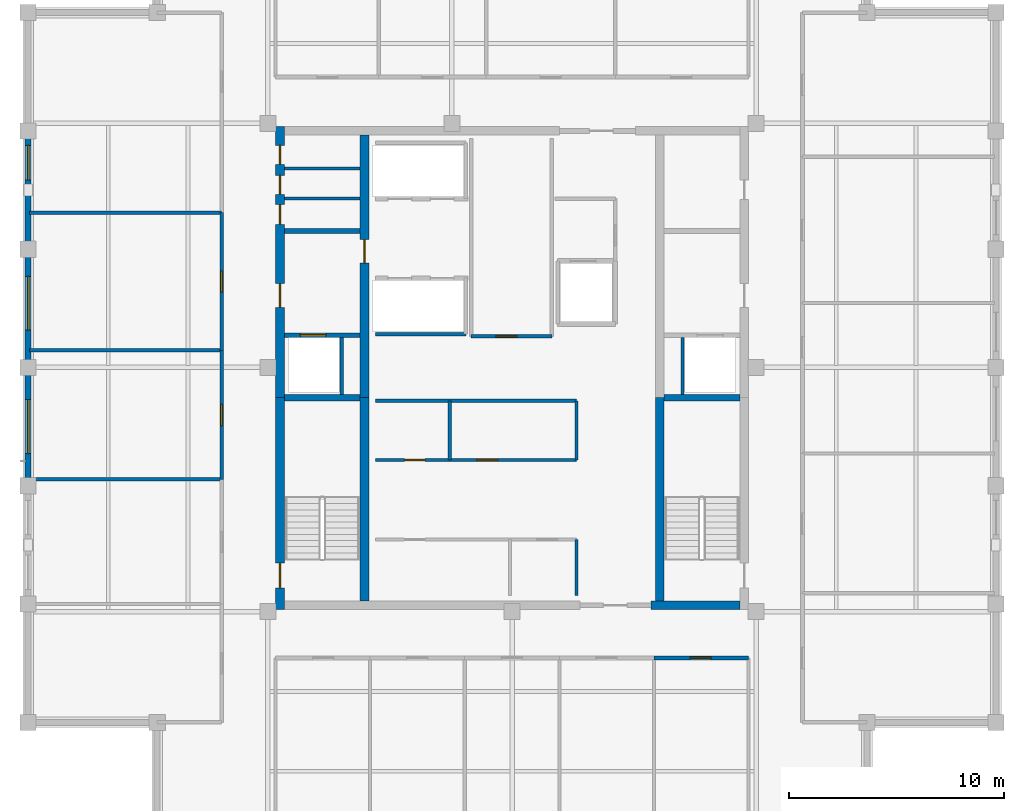
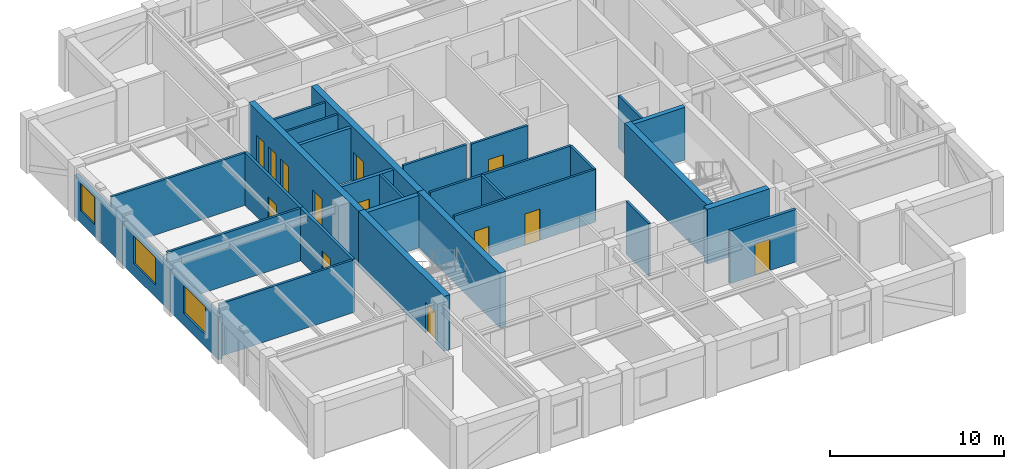
# One storey, part 4 of 8: 30 walls, 13 doors, 3 windows, 16 openings.
"""IFC4 building model written with IfcOpenShell, lengths in metres."""

import ifcopenshell
import ifcopenshell.guid

model = None  # the IFC model being written
_history = None  # IfcOwnerHistory: only IFC2X3 demands one
_inside = {}  # id of a spatial element -> (the spatial element, [elements in it])
_under = {}  # id of a project, library or spatial element -> (it, [spatial elements below it])
_declared = {}  # id of a project -> (the project, [libraries it declares])
_typed = {}  # id of a type object -> (the type object, [elements of that type])
_made_of = {}  # id of a material, layer set ... -> (it, [elements and type objects made of it])


def new_model(schema):
    """Start an empty IFC model of exactly this schema.

    Asked for "IFC4X3", IfcOpenShell would pick the latest addendum, in which some entities
    have other attributes; the version numbers below select the first issue.
    IFC2X3 requires an IfcOwnerHistory on every rooted entity: one is made here for all.
    """
    global model, _history
    if schema == "IFC4X3":
        model = ifcopenshell.file(schema_version=(4, 3, 0, 0))
    else:
        model = ifcopenshell.file(schema=schema)
    _inside.clear()
    _under.clear()
    _declared.clear()
    _typed.clear()
    _made_of.clear()
    _history = None
    if model.schema == "IFC2X3":
        org = make("IfcOrganization", Name="unknown")
        user = make(
            "IfcPersonAndOrganization",
            ThePerson=make("IfcPerson", FamilyName="unknown"),
            TheOrganization=org,
        )
        app = make(
            "IfcApplication",
            ApplicationDeveloper=org,
            Version="unknown",
            ApplicationFullName="unknown",
            ApplicationIdentifier="unknown",
        )
        _history = make(
            "IfcOwnerHistory",
            OwningUser=user,
            OwningApplication=app,
            ChangeAction="ADDED",
            CreationDate=0,
        )
    return model


def make(cls, **values):
    """One entity of the class cls with the attributes given. An attribute that is None is left unset."""
    return model.create_entity(
        cls, **{name: value for name, value in values.items() if value is not None}
    )


def rooted(cls, **values):
    """An entity with a GlobalId (a new one), such as an element, a storey or a relation."""
    return make(cls, GlobalId=ifcopenshell.guid.new(), OwnerHistory=_history, **values)


def si_unit(unit_type, name, prefix=None):
    """IfcSIUnit, for example si_unit("LENGTHUNIT", "METRE", prefix="MILLI")."""
    return make("IfcSIUnit", UnitType=unit_type, Prefix=prefix, Name=name)


def assignment(units):
    """IfcUnitAssignment: the units of a project."""
    return None if units is None else make("IfcUnitAssignment", Units=units)


def point(xyz):
    """IfcCartesianPoint."""
    return None if xyz is None else make("IfcCartesianPoint", Coordinates=xyz)


def direction(xyz):
    """IfcDirection."""
    return None if xyz is None else make("IfcDirection", DirectionRatios=xyz)


def frame(location, z_axis=None, x_axis=None):
    """IfcAxis2Placement3D, a coordinate frame: its origin and axes. An axis left out is left unset."""
    return make(
        "IfcAxis2Placement3D",
        Location=point(location),
        Axis=direction(z_axis),
        RefDirection=direction(x_axis),
    )


def frame_2d(location, x_axis=None):
    """IfcAxis2Placement2D, a coordinate frame in the plane: its origin and x axis."""
    return make(
        "IfcAxis2Placement2D", Location=point(location), RefDirection=direction(x_axis)
    )


def origin():
    """The frame at (0, 0, 0) with its axes left unset."""
    return frame((0.0, 0.0, 0.0))


def place(relative_to, where):
    """IfcLocalPlacement: puts the frame where relative to a parent placement (None: the world)."""
    return make(
        "IfcLocalPlacement", PlacementRelTo=relative_to, RelativePlacement=where
    )


def context(
    kind, dimensions, precision=None, world=None, true_north=None, identifier=None
):
    """IfcGeometricRepresentationContext, for example the 3D "Model" context."""
    return make(
        "IfcGeometricRepresentationContext",
        ContextIdentifier=identifier,
        ContextType=kind,
        CoordinateSpaceDimension=dimensions,
        Precision=precision,
        WorldCoordinateSystem=world,
        TrueNorth=true_north,
    )


def subcontext(parent, identifier, kind, view, scale=None):
    """IfcGeometricRepresentationSubContext, for example "Body" below "Model"."""
    return make(
        "IfcGeometricRepresentationSubContext",
        ContextIdentifier=identifier,
        ContextType=kind,
        ParentContext=parent,
        TargetScale=scale,
        TargetView=view,
    )


def project(units=None, contexts=None):
    """IfcProject with its units and contexts."""
    return rooted(
        "IfcProject",
        Name="project",
        RepresentationContexts=contexts,
        UnitsInContext=assignment(units),
    )


def spatial(cls, under=None, at=None, **own):
    """A site, building, storey or space (cls), placed at a placement, below another one or the project."""
    s = rooted(cls, ObjectPlacement=at, **own)
    if under is not None:
        _under.setdefault(under.id(), (under, []))[1].append(s)
    return s


def profile(cls, at=None, kind="AREA", **sizes):
    """A parametric profile (cls). Its sizes go by their IFC names, for example OverallWidth=200.0."""
    return make(cls, ProfileType=kind, Position=at, **sizes)


def rectangle(**sizes):
    """IfcRectangleProfileDef."""
    return profile("IfcRectangleProfileDef", **sizes)


def extrude(swept, where, along, depth):
    """IfcExtrudedAreaSolid: the profile swept, set in the frame where, extruded along a direction by depth."""
    return make(
        "IfcExtrudedAreaSolid",
        SweptArea=swept,
        Position=where,
        ExtrudedDirection=direction(along),
        Depth=depth,
    )


def shape(context_of_items, identifier, shape_type, items):
    """IfcShapeRepresentation: the items that make up one representation, for example the "Body"."""
    return make(
        "IfcShapeRepresentation",
        ContextOfItems=context_of_items,
        RepresentationIdentifier=identifier,
        RepresentationType=shape_type,
        Items=items,
    )


def material(Name=None, Category=None):
    """IfcMaterial."""
    return make("IfcMaterial", Name=Name, Category=Category)


def layer(
    of_material, thickness, ventilated=None, Name=None, Category=None, Priority=None
):
    """IfcMaterialLayer: one layer of a wall or slab, of a material (None: an air gap)."""
    return make(
        "IfcMaterialLayer",
        Material=of_material,
        LayerThickness=thickness,
        IsVentilated=ventilated,
        Name=Name,
        Category=Category,
        Priority=Priority,
    )


def layer_set(layers, Name=None):
    """IfcMaterialLayerSet."""
    return make("IfcMaterialLayerSet", MaterialLayers=layers, LayerSetName=Name)


def made_of(thing, what):
    """Note that an element or type object is made of a material, layer set ...; save() writes the relation."""
    if what is not None:
        _made_of.setdefault(what.id(), (what, []))[1].append(thing)
    return thing


def type_object(cls, material=None, **own):
    """A type object (cls), such as IfcWallType, which elements share."""
    return made_of(rooted(cls, **own), material)


def element(
    cls,
    number,
    at=None,
    inside=None,
    cuts=None,
    type_object=None,
    material=None,
    context=None,
    identifier="Body",
    shape_type=None,
    held_by="IfcProductDefinitionShape",
    body=None,
    shapes=None,
    **own,
):
    """One element of the class cls, such as IfcWall. Its Tag is "e" and its number.

    at: its placement. inside: the storey or other place that contains it. cuts: it is an
    opening in that element (IfcRelVoidsElement). A single representation is given by context,
    identifier, shape_type and body (its items); several are given by shapes. held_by: the class
    of the entity that holds the representations. save() writes the other relations.
    """
    e = rooted(cls, Tag="e%d" % number, ObjectPlacement=at, **own)
    if body is not None:
        shapes = [shape(context, identifier, shape_type, body)]
    if shapes is not None:
        e.Representation = make(held_by, Representations=shapes)
    if inside is not None:
        _inside.setdefault(inside.id(), (inside, []))[1].append(e)
    if cuts is not None:
        rooted(
            "IfcRelVoidsElement", RelatingBuildingElement=cuts, RelatedOpeningElement=e
        )
    if type_object is not None:
        _typed.setdefault(type_object.id(), (type_object, []))[1].append(e)
    return made_of(e, material)


def fill(opening, filler):
    """IfcRelFillsElement: the door or window that sits in an opening."""
    return rooted(
        "IfcRelFillsElement",
        RelatingOpeningElement=opening,
        RelatedBuildingElement=filler,
    )


def aggregate(whole, parts):
    """IfcRelAggregates: a whole, such as a stair, and the parts it consists of."""
    return rooted("IfcRelAggregates", RelatingObject=whole, RelatedObjects=parts)


def save(model, path):
    """Write the relations noted so far, then the file.

    IfcRelAggregates (storeys below a building ...), IfcRelContainedInSpatialStructure (elements
    in a storey), IfcRelDefinesByType, IfcRelAssociatesMaterial and IfcRelDeclares: one each for
    every whole, place, type object, material and project.
    """
    for whole, parts in _under.values():
        aggregate(whole, parts)
    for where, things in _inside.values():
        rooted(
            "IfcRelContainedInSpatialStructure",
            RelatedElements=things,
            RelatingStructure=where,
        )
    for kind, things in _typed.values():
        rooted("IfcRelDefinesByType", RelatedObjects=things, RelatingType=kind)
    for what, things in _made_of.values():
        rooted("IfcRelAssociatesMaterial", RelatedObjects=things, RelatingMaterial=what)
    for by, libraries in _declared.values():
        rooted("IfcRelDeclares", RelatingContext=by, RelatedDefinitions=libraries)
    model.write(path)


model = new_model("IFC4")

# Units and contexts
model_context = context("Model", 3, precision=1e-05, world=origin(), true_north=direction((0.0, 1.0)))
body_context = subcontext(model_context, "Body", "Model", "MODEL_VIEW")
ifc_project = project(units=[si_unit("LENGTHUNIT", "METRE"), si_unit("AREAUNIT", "SQUARE_METRE"), si_unit("VOLUMEUNIT", "CUBIC_METRE"), si_unit("PLANEANGLEUNIT", "RADIAN"), si_unit("MASSUNIT", "GRAM", prefix="KILO")], contexts=[model_context])

# Site, building, storey
site_placement = place(None, origin())
site = spatial("IfcSite", under=ifc_project, at=site_placement, CompositionType="ELEMENT")
building_placement = place(site_placement, origin())
building = spatial("IfcBuilding", under=site, at=building_placement, Name="Nhamokura Convention Tower", CompositionType="ELEMENT")
storey_placement = place(building_placement, frame((0.0, 0.0, 292.949951171875)))
storey = spatial("IfcBuildingStorey", under=building, at=storey_placement, Name="L72", CompositionType="ELEMENT", Elevation=292.949951171875)

# Wall
ifc_material_1 = material(Name="Moisture-resistant tile-backer partition", Category="masonry")
ifc_layer_1 = layer(ifc_material_1, 0.139892578125)
ifc_layer_set_1 = layer_set([ifc_layer_1], Name="BathroomWetWall_140")
wall_type_1 = type_object("IfcWallType", Name="BathroomWetWall_140", PredefinedType="STANDARD", material=ifc_layer_set_1)
wall_1_placement = place(storey_placement, frame((21.409912109375, 39.85009765625, 0.0), z_axis=(0.0, 0.0, 1.0), x_axis=(1.0, 0.0, 0.0)))
element("IfcWall", 1, at=wall_1_placement, inside=storey, type_object=wall_type_1, Name="L72 Wall INT-L72-CWNW1", PredefinedType="STANDARD", context=body_context, shape_type="SweptSolid", body=[
    extrude(rectangle(XDim=3.530029296875, YDim=0.139892578125, at=frame_2d((1.76513671875, 0.0))), origin(), (0.0, 0.0, 1.0), 3.68505859375),
])

# Wall, opening, window
ifc_material_2 = material(Name="Bronze-pigmented precast concrete C45/55", Category="concrete")
ifc_layer_2 = layer(ifc_material_2, 0.280029296875)
ifc_layer_set_2 = layer_set([ifc_layer_2], Name="BronzePrecastSpandrel_280")
wall_type_2 = type_object("IfcWallType", Name="BronzePrecastSpandrel_280", PredefinedType="USERDEFINED", material=ifc_layer_set_2)
wall_2_placement = place(storey_placement, frame((9.5, 26.5, 0.0), z_axis=(0.0, 0.0, 1.0), x_axis=(0.0, 1.0, 0.0)))
wall_2 = element("IfcWall", 2, at=wall_2_placement, inside=storey, type_object=wall_type_2, Name="L72 Masonry-Frame Wall WEST 2", ObjectType="SPANDREL_WALL", PredefinedType="USERDEFINED", context=body_context, shape_type="SweptSolid", body=[
    extrude(rectangle(XDim=5.5, YDim=0.280029296875, at=frame_2d((2.75, 0.0))), origin(), (0.0, 0.0, 1.0), 2.985107421875),
])
opening_1_placement = place(wall_2_placement, frame((1.5, 0.0, 0.85009765625)))
opening_1 = element("IfcOpeningElement", 3, at=opening_1_placement, cuts=wall_2, Name="Opening W-09", PredefinedType="OPENING", context=body_context, shape_type="SweptSolid", body=[
    extrude(rectangle(XDim=2.5, YDim=1.93505859375, at=frame_2d((1.25, 0.967529296875))), frame((0.0, 0.14990234375, 0.0), z_axis=(0.0, -1.0, 0.0), x_axis=(1.0, 0.0, 0.0)), (0.0, 0.0, 1.0), 0.300048828125),
])
ifc_material_3 = material(Name="Solar-control bronze low-E double glass", Category="glass")
window_type_1 = type_object("IfcWindowType", Name="SummitWindow_Z4_2500", PartitioningType="DOUBLE_PANEL_VERTICAL", PredefinedType="WINDOW", material=ifc_material_3)
window_1_placement = place(opening_1_placement, origin())
window_1 = element("IfcWindow", 4, at=window_1_placement, inside=storey, type_object=window_type_1, Name="L72 Facade Window WEST 2", OverallHeight=1.93505859375, OverallWidth=2.5, PartitioningType="SINGLE_PANEL", PredefinedType="WINDOW", context=body_context, shape_type="SweptSolid", body=[
    extrude(rectangle(XDim=2.5, YDim=1.93505859375, at=frame_2d((1.25, 0.967529296875))), frame((0.0, 0.030029296875, 0.0), z_axis=(0.0, -1.0, 0.0), x_axis=(1.0, 0.0, 0.0)), (0.0, 0.0, 1.0), 0.06005859375),
])
fill(opening_1, window_1)

wall_3_placement = place(storey_placement, frame((9.5, 32.0, 0.0), z_axis=(0.0, 0.0, 1.0), x_axis=(0.0, 1.0, 0.0)))
wall_3 = element("IfcWall", 5, at=wall_3_placement, inside=storey, type_object=wall_type_2, Name="L72 Masonry-Frame Wall WEST 3", ObjectType="SPANDREL_WALL", PredefinedType="USERDEFINED", context=body_context, shape_type="SweptSolid", body=[
    extrude(rectangle(XDim=5.5, YDim=0.280029296875, at=frame_2d((2.75, 0.0))), origin(), (0.0, 0.0, 1.0), 2.985107421875),
])
opening_2_placement = place(wall_3_placement, frame((1.737548828125, 0.0, 0.85009765625)))
opening_2 = element("IfcOpeningElement", 6, at=opening_2_placement, cuts=wall_3, Name="Opening W-09", PredefinedType="OPENING", context=body_context, shape_type="SweptSolid", body=[
    extrude(rectangle(XDim=2.5, YDim=1.93505859375, at=frame_2d((1.25, 0.967529296875))), frame((0.0, 0.14990234375, 0.0), z_axis=(0.0, -1.0, 0.0), x_axis=(1.0, 0.0, 0.0)), (0.0, 0.0, 1.0), 0.300048828125),
])
window_2_placement = place(opening_2_placement, origin())
window_2 = element("IfcWindow", 7, at=window_2_placement, inside=storey, type_object=window_type_1, Name="L72 Facade Window WEST 3", OverallHeight=1.93505859375, OverallWidth=2.5, PartitioningType="SINGLE_PANEL", PredefinedType="WINDOW", context=body_context, shape_type="SweptSolid", body=[
    extrude(rectangle(XDim=2.5, YDim=1.93505859375, at=frame_2d((1.25, 0.967529296875))), frame((0.0, 0.030029296875, 0.0), z_axis=(0.0, -1.0, 0.0), x_axis=(1.0, 0.0, 0.0)), (0.0, 0.0, 1.0), 0.06005859375),
])
fill(opening_2, window_2)

wall_4_placement = place(storey_placement, frame((9.5, 37.5, 0.0), z_axis=(0.0, 0.0, 1.0), x_axis=(0.0, 1.0, 0.0)))
wall_4 = element("IfcWall", 8, at=wall_4_placement, inside=storey, type_object=wall_type_2, Name="L72 Masonry-Frame Wall WEST 4", ObjectType="SPANDREL_WALL", PredefinedType="USERDEFINED", context=body_context, shape_type="SweptSolid", body=[
    extrude(rectangle(XDim=5.5, YDim=0.280029296875, at=frame_2d((2.75, 0.0))), origin(), (0.0, 0.0, 1.0), 2.985107421875),
])
opening_3_placement = place(wall_4_placement, frame((3.22509765625, 0.0, 0.85009765625)))
opening_3 = element("IfcOpeningElement", 9, at=opening_3_placement, cuts=wall_4, Name="Opening W-11", PredefinedType="OPENING", context=body_context, shape_type="SweptSolid", body=[
    extrude(rectangle(XDim=1.60009765625, YDim=1.93505859375, at=frame_2d((0.800048828125, 0.967529296875))), frame((0.0, 0.14990234375, 0.0), z_axis=(0.0, -1.0, 0.0), x_axis=(1.0, 0.0, 0.0)), (0.0, 0.0, 1.0), 0.300048828125),
])
ifc_material_4 = material(Name="Solar-control bronze low-E double glass", Category="glass")
window_type_2 = type_object("IfcWindowType", Name="NotchCornerWindow_1600", PartitioningType="SINGLE_PANEL", PredefinedType="WINDOW", material=ifc_material_4)
window_3_placement = place(opening_3_placement, origin())
window_3 = element("IfcWindow", 10, at=window_3_placement, inside=storey, type_object=window_type_2, Name="L72 Facade Window WEST 4-3", OverallHeight=1.93505859375, OverallWidth=1.60009765625, PartitioningType="SINGLE_PANEL", PredefinedType="WINDOW", context=body_context, shape_type="SweptSolid", body=[
    extrude(rectangle(XDim=1.60009765625, YDim=1.93505859375, at=frame_2d((0.800048828125, 0.967529296875))), frame((0.0, 0.030029296875, 0.0), z_axis=(0.0, -1.0, 0.0), x_axis=(1.0, 0.0, 0.0)), (0.0, 0.0, 1.0), 0.06005859375),
])
fill(opening_3, window_3)

# Wall, opening, door
ifc_material_5 = material(Name="Concrete C50/60", Category="concrete")
ifc_layer_3 = layer(ifc_material_5, 0.39990234375)
ifc_layer_set_3 = layer_set([ifc_layer_3], Name="CoreShearWall_400")
wall_type_3 = type_object("IfcWallType", Name="CoreShearWall_400", PredefinedType="SHEAR", material=ifc_layer_set_3)
wall_5_placement = place(storey_placement, frame((21.2099609375, 20.75, 0.0), z_axis=(0.0, 0.0, 1.0), x_axis=(0.0, 1.0, 0.0)))
wall_5 = element("IfcWall", 11, at=wall_5_placement, inside=storey, type_object=wall_type_3, Name="L72 Core Shear Wall CW-WS", PredefinedType="SHEAR", context=body_context, shape_type="SweptSolid", body=[
    extrude(rectangle(XDim=9.85009765625, YDim=0.39990234375, at=frame_2d((4.925048828125, 0.0))), origin(), (0.0, 0.0, 1.0), 3.85009765625),
])
opening_4_placement = place(wall_5_placement, frame((1.0, 0.0, 0.0)))
opening_4 = element("IfcOpeningElement", 12, at=opening_4_placement, cuts=wall_5, Name="Opening D-04", PredefinedType="OPENING", context=body_context, shape_type="SweptSolid", body=[
    extrude(rectangle(XDim=1.14990234375, YDim=2.14990234375, at=frame_2d((0.574951171875, 1.074951171875))), frame((0.0, 0.2099609375, 0.0), z_axis=(0.0, -1.0, 0.0), x_axis=(1.0, 0.0, 0.0)), (0.0, 0.0, 1.0), 0.419921875),
])
ifc_material_6 = material(Name="Fire-rated steel door", Category="steel")
door_type_1 = type_object("IfcDoorType", Name="StairSmokeDoor_1150", OperationType="NOTDEFINED", PredefinedType="DOOR", material=ifc_material_6)
door_1_placement = place(opening_4_placement, origin())
door_1 = element("IfcDoor", 13, at=door_1_placement, inside=storey, type_object=door_type_1, Name="L72 Core Door INT-L72-D-ST01", OperationType="SINGLE_SWING_LEFT", OverallHeight=2.14990234375, OverallWidth=1.14990234375, PredefinedType="DOOR", context=body_context, shape_type="SweptSolid", body=[
    extrude(rectangle(XDim=1.14990234375, YDim=2.14990234375, at=frame_2d((0.574951171875, 1.074951171875))), frame((0.0, 0.02490234375, 0.0), z_axis=(0.0, -1.0, 0.0), x_axis=(1.0, 0.0, 0.0)), (0.0, 0.0, 1.0), 0.050048828125),
])
fill(opening_4, door_1)

# Wall, openings, doors
wall_6_placement = place(storey_placement, frame((21.2099609375, 30.60009765625, 0.0), z_axis=(0.0, 0.0, 1.0), x_axis=(0.0, 1.0, 0.0)))
wall_6 = element("IfcWall", 14, at=wall_6_placement, inside=storey, type_object=wall_type_3, Name="L72 Core Shear Wall CW-WN", PredefinedType="SHEAR", context=body_context, shape_type="SweptSolid", body=[
    extrude(rectangle(XDim=12.599853515625, YDim=0.39990234375, at=frame_2d((6.2998046875, 0.0))), origin(), (0.0, 0.0, 1.0), 3.85009765625),
])
opening_5_placement = place(wall_6_placement, frame((4.199951171875, 0.0, 0.0)))
opening_5 = element("IfcOpeningElement", 15, at=opening_5_placement, cuts=wall_6, Name="Opening D-05", PredefinedType="OPENING", context=body_context, shape_type="SweptSolid", body=[
    extrude(rectangle(XDim=1.10009765625, YDim=2.14990234375, at=frame_2d((0.550048828125, 1.074951171875))), frame((0.0, 0.2099609375, 0.0), z_axis=(0.0, -1.0, 0.0), x_axis=(1.0, 0.0, 0.0)), (0.0, 0.0, 1.0), 0.419921875),
])
opening_6_placement = place(wall_6_placement, frame((8.050048828125, 0.0, 0.0)))
opening_6 = element("IfcOpeningElement", 16, at=opening_6_placement, cuts=wall_6, Name="Opening D-10", PredefinedType="OPENING", context=body_context, shape_type="SweptSolid", body=[
    extrude(rectangle(XDim=0.919921875, YDim=2.10009765625, at=frame_2d((0.4599609375, 1.050048828125))), frame((0.0, 0.2099609375, 0.0), z_axis=(0.0, -1.0, 0.0), x_axis=(1.0, 0.0, 0.0)), (0.0, 0.0, 1.0), 0.419921875),
])
opening_7_placement = place(wall_6_placement, frame((9.449951171875, 0.0, 0.0)))
opening_7 = element("IfcOpeningElement", 17, at=opening_7_placement, cuts=wall_6, Name="Opening D-11", PredefinedType="OPENING", context=body_context, shape_type="SweptSolid", body=[
    extrude(rectangle(XDim=0.8798828125, YDim=2.10009765625, at=frame_2d((0.43994140625, 1.050048828125))), frame((0.0, 0.2099609375, 0.0), z_axis=(0.0, -1.0, 0.0), x_axis=(1.0, 0.0, 0.0)), (0.0, 0.0, 1.0), 0.419921875),
])
opening_8_placement = place(wall_6_placement, frame((10.85009765625, 0.0, 0.0)))
opening_8 = element("IfcOpeningElement", 18, at=opening_8_placement, cuts=wall_6, Name="Opening D-11", PredefinedType="OPENING", context=body_context, shape_type="SweptSolid", body=[
    extrude(rectangle(XDim=0.8798828125, YDim=2.10009765625, at=frame_2d((0.43994140625, 1.050048828125))), frame((0.0, 0.2099609375, 0.0), z_axis=(0.0, -1.0, 0.0), x_axis=(1.0, 0.0, 0.0)), (0.0, 0.0, 1.0), 0.419921875),
])
ifc_material_7 = material(Name="Solid oak hardwood", Category="wood")
door_type_2 = type_object("IfcDoorType", Name="AccessibleWCDoor_920", OperationType="NOTDEFINED", PredefinedType="DOOR", material=ifc_material_7)
door_2_placement = place(opening_6_placement, origin())
door_2 = element("IfcDoor", 19, at=door_2_placement, inside=storey, type_object=door_type_2, Name="L72 Core Door INT-L72-D-AWC", OperationType="SINGLE_SWING_LEFT", OverallHeight=2.10009765625, OverallWidth=0.919921875, PredefinedType="DOOR", context=body_context, shape_type="SweptSolid", body=[
    extrude(rectangle(XDim=0.919921875, YDim=2.10009765625, at=frame_2d((0.4599609375, 1.050048828125))), frame((0.0, 0.02490234375, 0.0), z_axis=(0.0, -1.0, 0.0), x_axis=(1.0, 0.0, 0.0)), (0.0, 0.0, 1.0), 0.050048828125),
])
fill(opening_6, door_2)
ifc_material_8 = material(Name="Solid oak hardwood", Category="wood")
door_type_3 = type_object("IfcDoorType", Name="BathroomDoor_880", OperationType="NOTDEFINED", PredefinedType="DOOR", material=ifc_material_8)
door_3_placement = place(opening_7_placement, origin())
door_3 = element("IfcDoor", 20, at=door_3_placement, inside=storey, type_object=door_type_3, Name="L72 Core Door INT-L72-D-CLN", OperationType="SINGLE_SWING_RIGHT", OverallHeight=2.10009765625, OverallWidth=0.8798828125, PredefinedType="DOOR", context=body_context, shape_type="SweptSolid", body=[
    extrude(rectangle(XDim=0.8798828125, YDim=2.10009765625, at=frame_2d((0.43994140625, 1.050048828125))), frame((0.0, 0.02490234375, 0.0), z_axis=(0.0, -1.0, 0.0), x_axis=(1.0, 0.0, 0.0)), (0.0, 0.0, 1.0), 0.050048828125),
])
fill(opening_7, door_3)
door_4_placement = place(opening_8_placement, origin())
door_4 = element("IfcDoor", 21, at=door_4_placement, inside=storey, type_object=door_type_3, Name="L72 Core Door INT-L72-D-PNT", OperationType="SINGLE_SWING_LEFT", OverallHeight=2.10009765625, OverallWidth=0.8798828125, PredefinedType="DOOR", context=body_context, shape_type="SweptSolid", body=[
    extrude(rectangle(XDim=0.8798828125, YDim=2.10009765625, at=frame_2d((0.43994140625, 1.050048828125))), frame((0.0, 0.02490234375, 0.0), z_axis=(0.0, -1.0, 0.0), x_axis=(1.0, 0.0, 0.0)), (0.0, 0.0, 1.0), 0.050048828125),
])
fill(opening_8, door_4)
ifc_material_9 = material(Name="Fire-rated steel door", Category="steel")
door_type_4 = type_object("IfcDoorType", Name="FireLobbyDoor_1100", OperationType="NOTDEFINED", PredefinedType="DOOR", material=ifc_material_9)
door_5_placement = place(opening_5_placement, origin())
door_5 = element("IfcDoor", 22, at=door_5_placement, inside=storey, type_object=door_type_4, Name="L72 Core Door INT-L72-D-FFLW", OperationType="SINGLE_SWING_RIGHT", OverallHeight=2.14990234375, OverallWidth=1.10009765625, PredefinedType="DOOR", context=body_context, shape_type="SweptSolid", body=[
    extrude(rectangle(XDim=1.10009765625, YDim=2.14990234375, at=frame_2d((0.550048828125, 1.074951171875))), frame((0.0, 0.02490234375, 0.0), z_axis=(0.0, -1.0, 0.0), x_axis=(1.0, 0.0, 0.0)), (0.0, 0.0, 1.0), 0.050048828125),
])
fill(opening_5, door_5)

# Walls
wall_7_placement = place(storey_placement, frame((38.449951171875, 20.949951171875, 0.0), z_axis=(0.0, 0.0, 1.0), x_axis=(1.0, 0.0, 0.0)))
element("IfcWall", 23, at=wall_7_placement, inside=storey, type_object=wall_type_3, Name="L72 Core Shear Wall CW-S2", PredefinedType="SHEAR", context=body_context, shape_type="SweptSolid", body=[
    extrude(rectangle(XDim=4.14013671875, YDim=0.39990234375, at=frame_2d((2.070068359375, 0.0))), origin(), (0.0, 0.0, 1.0), 3.85009765625),
])
wall_8_placement = place(storey_placement, frame((25.139892578125, 21.14990234375, 0.0), z_axis=(0.0, 0.0, 1.0), x_axis=(0.0, 1.0, 0.0)))
element("IfcWall", 24, at=wall_8_placement, inside=storey, type_object=wall_type_3, Name="L72 Core Shear Wall CW-IWS", PredefinedType="SHEAR", context=body_context, shape_type="SweptSolid", body=[
    extrude(rectangle(XDim=9.4501953125, YDim=0.39990234375, at=frame_2d((4.72509765625, 0.0))), origin(), (0.0, 0.0, 1.0), 3.85009765625),
])

# Wall, opening, door
wall_9_placement = place(storey_placement, frame((25.139892578125, 30.60009765625, 0.0), z_axis=(0.0, 0.0, 1.0), x_axis=(0.0, 1.0, 0.0)))
wall_9 = element("IfcWall", 25, at=wall_9_placement, inside=storey, type_object=wall_type_3, Name="L72 Core Shear Wall CW-IWN", PredefinedType="SHEAR", context=body_context, shape_type="SweptSolid", body=[
    extrude(rectangle(XDim=12.199951171875, YDim=0.39990234375, at=frame_2d((6.10009765625, 0.0))), origin(), (0.0, 0.0, 1.0), 3.85009765625),
])
opening_9_placement = place(wall_9_placement, frame((6.25, 0.0, 0.0)))
opening_9 = element("IfcOpeningElement", 26, at=opening_9_placement, cuts=wall_9, Name="Opening D-05", PredefinedType="OPENING", context=body_context, shape_type="SweptSolid", body=[
    extrude(rectangle(XDim=1.10009765625, YDim=2.14990234375, at=frame_2d((0.550048828125, 1.074951171875))), frame((0.0, 0.2099609375, 0.0), z_axis=(0.0, -1.0, 0.0), x_axis=(1.0, 0.0, 0.0)), (0.0, 0.0, 1.0), 0.419921875),
])
door_6_placement = place(opening_9_placement, origin())
door_6 = element("IfcDoor", 27, at=door_6_placement, inside=storey, type_object=door_type_4, Name="L72 Core Door INT-L72-D-B3LOB", OperationType="SINGLE_SWING_LEFT", OverallHeight=2.14990234375, OverallWidth=1.10009765625, PredefinedType="DOOR", context=body_context, shape_type="SweptSolid", body=[
    extrude(rectangle(XDim=1.10009765625, YDim=2.14990234375, at=frame_2d((0.550048828125, 1.074951171875))), frame((0.0, 0.02490234375, 0.0), z_axis=(0.0, -1.0, 0.0), x_axis=(1.0, 0.0, 0.0)), (0.0, 0.0, 1.0), 0.050048828125),
])
fill(opening_9, door_6)

# Wall
wall_10_placement = place(storey_placement, frame((38.860107421875, 21.14990234375, 0.0), z_axis=(0.0, 0.0, 1.0), x_axis=(0.0, 1.0, 0.0)))
element("IfcWall", 28, at=wall_10_placement, inside=storey, type_object=wall_type_3, Name="L72 Core Shear Wall CW-IES", PredefinedType="SHEAR", context=body_context, shape_type="SweptSolid", body=[
    extrude(rectangle(XDim=9.4501953125, YDim=0.39990234375, at=frame_2d((4.72509765625, 0.0))), origin(), (0.0, 0.0, 1.0), 3.85009765625),
])

# Wall, opening, door
ifc_material_10 = material(Name="Fire-rated gypsum and masonry partition", Category="masonry")
ifc_layer_4 = layer(ifc_material_10, 0.179931640625)
ifc_layer_set_4 = layer_set([ifc_layer_4], Name="CorridorRatedWall_180")
wall_type_4 = type_object("IfcWallType", Name="CorridorRatedWall_180", PredefinedType="STANDARD", material=ifc_layer_set_4)
wall_11_placement = place(storey_placement, frame((38.60009765625, 18.5, 0.0), z_axis=(0.0, 0.0, 1.0), x_axis=(1.0, 0.0, 0.0)))
wall_11 = element("IfcWall", 29, at=wall_11_placement, inside=storey, type_object=wall_type_4, Name="L72 Wall INT-L72-CW-S04", PredefinedType="STANDARD", context=body_context, shape_type="SweptSolid", body=[
    extrude(rectangle(XDim=4.39990234375, YDim=0.179931640625, at=frame_2d((2.199951171875, 0.0))), origin(), (0.0, 0.0, 1.0), 3.68505859375),
])
opening_10_placement = place(wall_11_placement, frame((1.675048828125, 0.0, 0.0)))
opening_10 = element("IfcOpeningElement", 30, at=opening_10_placement, cuts=wall_11, Name="Opening D-08", PredefinedType="OPENING", context=body_context, shape_type="SweptSolid", body=[
    extrude(rectangle(XDim=0.97998046875, YDim=2.199951171875, at=frame_2d((0.489990234375, 1.10009765625))), frame((0.0, 0.099853515625, 0.0), z_axis=(0.0, -1.0, 0.0), x_axis=(1.0, 0.0, 0.0)), (0.0, 0.0, 1.0), 0.199951171875),
])
ifc_material_11 = material(Name="Solid oak hardwood", Category="wood")
door_type_5 = type_object("IfcDoorType", Name="OfficeEntryDoor_980", OperationType="NOTDEFINED", PredefinedType="DOOR", material=ifc_material_11)
door_7_placement = place(opening_10_placement, origin())
door_7 = element("IfcDoor", 31, at=door_7_placement, inside=storey, type_object=door_type_5, Name="L72 Private Office S05 Door", OperationType="SINGLE_SWING_LEFT", OverallHeight=2.199951171875, OverallWidth=0.97998046875, PredefinedType="DOOR", context=body_context, shape_type="SweptSolid", body=[
    extrude(rectangle(XDim=0.97998046875, YDim=2.199951171875, at=frame_2d((0.489990234375, 1.10009765625))), frame((0.0, 0.02490234375, 0.0), z_axis=(0.0, -1.0, 0.0), x_axis=(1.0, 0.0, 0.0)), (0.0, 0.0, 1.0), 0.050048828125),
])
fill(opening_10, door_7)

wall_12_placement = place(storey_placement, frame((18.5, 26.800048828125, 0.0), z_axis=(0.0, 0.0, 1.0), x_axis=(0.0, 1.0, 0.0)))
wall_12 = element("IfcWall", 32, at=wall_12_placement, inside=storey, type_object=wall_type_4, Name="L72 Wall INT-L72-CW-W02", PredefinedType="STANDARD", context=body_context, shape_type="SweptSolid", body=[
    extrude(rectangle(XDim=6.0, YDim=0.179931640625, at=frame_2d((3.0, 0.0))), origin(), (0.0, 0.0, 1.0), 3.68505859375),
])
opening_11_placement = place(wall_12_placement, frame((2.5, 0.0, 0.0)))
opening_11 = element("IfcOpeningElement", 33, at=opening_11_placement, cuts=wall_12, Name="Opening D-08", PredefinedType="OPENING", context=body_context, shape_type="SweptSolid", body=[
    extrude(rectangle(XDim=0.97998046875, YDim=2.199951171875, at=frame_2d((0.489990234375, 1.10009765625))), frame((0.0, 0.099853515625, 0.0), z_axis=(0.0, -1.0, 0.0), x_axis=(1.0, 0.0, 0.0)), (0.0, 0.0, 1.0), 0.199951171875),
])
door_8_placement = place(opening_11_placement, origin())
door_8 = element("IfcDoor", 34, at=door_8_placement, inside=storey, type_object=door_type_5, Name="L72 Private Office W03 Door", OperationType="SINGLE_SWING_LEFT", OverallHeight=2.199951171875, OverallWidth=0.97998046875, PredefinedType="DOOR", context=body_context, shape_type="SweptSolid", body=[
    extrude(rectangle(XDim=0.97998046875, YDim=2.199951171875, at=frame_2d((0.489990234375, 1.10009765625))), frame((0.0, 0.02490234375, 0.0), z_axis=(0.0, -1.0, 0.0), x_axis=(1.0, 0.0, 0.0)), (0.0, 0.0, 1.0), 0.050048828125),
])
fill(opening_11, door_8)

wall_13_placement = place(storey_placement, frame((18.5, 32.800048828125, 0.0), z_axis=(0.0, 0.0, 1.0), x_axis=(0.0, 1.0, 0.0)))
wall_13 = element("IfcWall", 35, at=wall_13_placement, inside=storey, type_object=wall_type_4, Name="L72 Wall INT-L72-CW-W03", PredefinedType="STANDARD", context=body_context, shape_type="SweptSolid", body=[
    extrude(rectangle(XDim=6.39990234375, YDim=0.179931640625, at=frame_2d((3.199951171875, 0.0))), origin(), (0.0, 0.0, 1.0), 3.68505859375),
])
opening_12_placement = place(wall_13_placement, frame((2.699951171875, 0.0, 0.0)))
opening_12 = element("IfcOpeningElement", 36, at=opening_12_placement, cuts=wall_13, Name="Opening D-08", PredefinedType="OPENING", context=body_context, shape_type="SweptSolid", body=[
    extrude(rectangle(XDim=0.97998046875, YDim=2.199951171875, at=frame_2d((0.489990234375, 1.10009765625))), frame((0.0, 0.099853515625, 0.0), z_axis=(0.0, -1.0, 0.0), x_axis=(1.0, 0.0, 0.0)), (0.0, 0.0, 1.0), 0.199951171875),
])
door_9_placement = place(opening_12_placement, origin())
door_9 = element("IfcDoor", 37, at=door_9_placement, inside=storey, type_object=door_type_5, Name="L72 Meeting Room W04 Door", OperationType="SINGLE_SWING_RIGHT", OverallHeight=2.199951171875, OverallWidth=0.97998046875, PredefinedType="DOOR", context=body_context, shape_type="SweptSolid", body=[
    extrude(rectangle(XDim=0.97998046875, YDim=2.199951171875, at=frame_2d((0.489990234375, 1.10009765625))), frame((0.0, 0.02490234375, 0.0), z_axis=(0.0, -1.0, 0.0), x_axis=(1.0, 0.0, 0.0)), (0.0, 0.0, 1.0), 0.050048828125),
])
fill(opening_12, door_9)

ifc_material_12 = material(Name="Autoclaved concrete blockwork", Category="masonry")
ifc_layer_5 = layer(ifc_material_12, 0.219970703125)
ifc_layer_set_5 = layer_set([ifc_layer_5], Name="FireLobbyWall_220")
wall_type_5 = type_object("IfcWallType", Name="FireLobbyWall_220", PredefinedType="STANDARD", material=ifc_layer_set_5)
wall_14_placement = place(storey_placement, frame((21.409912109375, 33.5, 0.0), z_axis=(0.0, 0.0, 1.0), x_axis=(1.0, 0.0, 0.0)))
wall_14 = element("IfcWall", 38, at=wall_14_placement, inside=storey, type_object=wall_type_5, Name="L72 Wall INT-L72-FFW-S", PredefinedType="STANDARD", context=body_context, shape_type="SweptSolid", body=[
    extrude(rectangle(XDim=3.530029296875, YDim=0.219970703125, at=frame_2d((1.76513671875, 0.0))), origin(), (0.0, 0.0, 1.0), 3.68505859375),
])
opening_13_placement = place(wall_14_placement, frame((0.75, 0.0, 0.0)))
opening_13 = element("IfcOpeningElement", 39, at=opening_13_placement, cuts=wall_14, Name="Opening LD-02", PredefinedType="OPENING", context=body_context, shape_type="SweptSolid", body=[
    extrude(rectangle(XDim=1.199951171875, YDim=2.199951171875, at=frame_2d((0.60009765625, 1.10009765625))), frame((0.0, 0.119873046875, 0.0), z_axis=(0.0, -1.0, 0.0), x_axis=(1.0, 0.0, 0.0)), (0.0, 0.0, 1.0), 0.239990234375),
])
ifc_material_13 = material(Name="Anodised bronze stainless steel", Category="steel")
door_type_6 = type_object("IfcDoorType", Name="LiftLandingDoor_FireService", OperationType="DOUBLE_DOOR_SLIDING", PredefinedType="DOOR", material=ifc_material_13)
door_10_placement = place(opening_13_placement, origin())
door_10 = element("IfcDoor", 40, at=door_10_placement, inside=storey, type_object=door_type_6, Name="L72 Firefighting Lift LF-01 Door", OperationType="DOUBLE_DOOR_SLIDING", OverallHeight=2.199951171875, OverallWidth=1.199951171875, PredefinedType="DOOR", context=body_context, shape_type="SweptSolid", body=[
    extrude(rectangle(XDim=1.199951171875, YDim=2.199951171875, at=frame_2d((0.60009765625, 1.10009765625))), frame((0.0, 0.02490234375, 0.0), z_axis=(0.0, -1.0, 0.0), x_axis=(1.0, 0.0, 0.0)), (0.0, 0.0, 1.0), 0.050048828125),
])
fill(opening_13, door_10)

# Walls
wall_15_placement = place(storey_placement, frame((21.409912109375, 38.35009765625, 0.0), z_axis=(0.0, 0.0, 1.0), x_axis=(1.0, 0.0, 0.0)))
element("IfcWall", 41, at=wall_15_placement, inside=storey, type_object=wall_type_5, Name="L72 Wall INT-L72-FFW-N", PredefinedType="STANDARD", context=body_context, shape_type="SweptSolid", body=[
    extrude(rectangle(XDim=3.530029296875, YDim=0.219970703125, at=frame_2d((1.76513671875, 0.0))), origin(), (0.0, 0.0, 1.0), 3.68505859375),
])
ifc_material_14 = material(Name="Acoustic gypsum stud partition", Category="masonry")
ifc_layer_6 = layer(ifc_material_14, 0.14990234375)
ifc_layer_set_6 = layer_set([ifc_layer_6], Name="InteriorPartition_150")
wall_type_6 = type_object("IfcWallType", Name="InteriorPartition_150", PredefinedType="STANDARD", material=ifc_layer_set_6)
for number, where, z_axis, x_axis, name in (
    (42, (24.080078125, 30.75, 0.0), (0.0, 0.0, 1.0), (0.0, 1.0, 0.0), "L72 Wall INT-L72-FF1-E"),
    (43, (39.919921875, 30.75, 0.0), (0.0, 0.0, 1.0), (0.0, 1.0, 0.0), "L72 Wall INT-L72-FF2-W"),
):
    element("IfcWall", number, at=place(storey_placement, frame(where, z_axis=z_axis, x_axis=x_axis)), inside=storey, type_object=wall_type_6, Name=name, PredefinedType="STANDARD", context=body_context, shape_type="SweptSolid", body=[
        extrude(rectangle(XDim=2.64990234375, YDim=0.14990234375, at=frame_2d((1.324951171875, 0.0))), origin(), (0.0, 0.0, 1.0), 3.68505859375),
    ])
wall_16_placement = place(storey_placement, frame((21.409912109375, 41.25, 0.0), z_axis=(0.0, 0.0, 1.0), x_axis=(1.0, 0.0, 0.0)))
element("IfcWall", 44, at=wall_16_placement, inside=storey, type_object=wall_type_6, Name="L72 Wall INT-L72-CWNW2", PredefinedType="STANDARD", context=body_context, shape_type="SweptSolid", body=[
    extrude(rectangle(XDim=3.530029296875, YDim=0.14990234375, at=frame_2d((1.76513671875, 0.0))), origin(), (0.0, 0.0, 1.0), 3.68505859375),
])
wall_17_placement = place(storey_placement, frame((35.0, 21.39990234375, 0.0), z_axis=(0.0, 0.0, 1.0), x_axis=(0.0, 1.0, 0.0)))
element("IfcWall", 45, at=wall_17_placement, inside=storey, type_object=wall_type_6, Name="L72 Wall INT-L72-B1R-E", PredefinedType="STANDARD", context=body_context, shape_type="SweptSolid", body=[
    extrude(rectangle(XDim=2.60009765625, YDim=0.14990234375, at=frame_2d((1.300048828125, 0.0))), origin(), (0.0, 0.0, 1.0), 3.68505859375),
])

# Wall, openings, doors
wall_18_placement = place(storey_placement, frame((25.64990234375, 27.699951171875, 0.0), z_axis=(0.0, 0.0, 1.0), x_axis=(1.0, 0.0, 0.0)))
wall_18 = element("IfcWall", 46, at=wall_18_placement, inside=storey, type_object=wall_type_6, Name="L72 Wall INT-L72-B2R-S", PredefinedType="STANDARD", context=body_context, shape_type="SweptSolid", body=[
    extrude(rectangle(XDim=9.35009765625, YDim=0.14990234375, at=frame_2d((4.675048828125, 0.0))), origin(), (0.0, 0.0, 1.0), 3.68505859375),
])
opening_14_placement = place(wall_18_placement, frame((1.35009765625, 0.0, 0.0)))
opening_14 = element("IfcOpeningElement", 47, at=opening_14_placement, cuts=wall_18, Name="Opening D-09", PredefinedType="OPENING", context=body_context, shape_type="SweptSolid", body=[
    extrude(rectangle(XDim=0.949951171875, YDim=2.14990234375, at=frame_2d((0.47509765625, 1.074951171875))), frame((0.0, 0.0849609375, 0.0), z_axis=(0.0, -1.0, 0.0), x_axis=(1.0, 0.0, 0.0)), (0.0, 0.0, 1.0), 0.169921875),
])
opening_15_placement = place(wall_18_placement, frame((4.699951171875, 0.0, 0.0)))
opening_15 = element("IfcOpeningElement", 48, at=opening_15_placement, cuts=wall_18, Name="Opening D-08", PredefinedType="OPENING", context=body_context, shape_type="SweptSolid", body=[
    extrude(rectangle(XDim=0.97998046875, YDim=2.199951171875, at=frame_2d((0.489990234375, 1.10009765625))), frame((0.0, 0.0849609375, 0.0), z_axis=(0.0, -1.0, 0.0), x_axis=(1.0, 0.0, 0.0)), (0.0, 0.0, 1.0), 0.169921875),
])
ifc_material_15 = material(Name="Solid oak hardwood", Category="wood")
door_type_7 = type_object("IfcDoorType", Name="MeetingRoomDoor_950", OperationType="NOTDEFINED", PredefinedType="DOOR", material=ifc_material_15)
door_11_placement = place(opening_14_placement, origin())
door_11 = element("IfcDoor", 49, at=door_11_placement, inside=storey, type_object=door_type_7, Name="L72 Caucus Suite Door", OperationType="SINGLE_SWING_LEFT", OverallHeight=2.14990234375, OverallWidth=0.949951171875, PredefinedType="DOOR", context=body_context, shape_type="SweptSolid", body=[
    extrude(rectangle(XDim=0.949951171875, YDim=2.14990234375, at=frame_2d((0.47509765625, 1.074951171875))), frame((0.0, 0.02490234375, 0.0), z_axis=(0.0, -1.0, 0.0), x_axis=(1.0, 0.0, 0.0)), (0.0, 0.0, 1.0), 0.050048828125),
])
fill(opening_14, door_11)
door_12_placement = place(opening_15_placement, origin())
door_12 = element("IfcDoor", 50, at=door_12_placement, inside=storey, type_object=door_type_5, Name="L72 Summit Pantry Door", OperationType="SINGLE_SWING_RIGHT", OverallHeight=2.199951171875, OverallWidth=0.97998046875, PredefinedType="DOOR", context=body_context, shape_type="SweptSolid", body=[
    extrude(rectangle(XDim=0.97998046875, YDim=2.199951171875, at=frame_2d((0.489990234375, 1.10009765625))), frame((0.0, 0.02490234375, 0.0), z_axis=(0.0, -1.0, 0.0), x_axis=(1.0, 0.0, 0.0)), (0.0, 0.0, 1.0), 0.050048828125),
])
fill(opening_15, door_12)

# Walls
wall_19_placement = place(storey_placement, frame((25.64990234375, 30.449951171875, 0.0), z_axis=(0.0, 0.0, 1.0), x_axis=(1.0, 0.0, 0.0)))
element("IfcWall", 51, at=wall_19_placement, inside=storey, type_object=wall_type_6, Name="L72 Wall INT-L72-B2R-N", PredefinedType="STANDARD", context=body_context, shape_type="SweptSolid", body=[
    extrude(rectangle(XDim=9.35009765625, YDim=0.14990234375, at=frame_2d((4.675048828125, 0.0))), origin(), (0.0, 0.0, 1.0), 3.68505859375),
])
for number, where, z_axis, x_axis, name in (
    (52, (29.10009765625, 27.699951171875, 0.0), (0.0, 0.0, 1.0), (0.0, 1.0, 0.0), "L72 Wall INT-L72-B2R-M"),
    (53, (35.0, 27.699951171875, 0.0), (0.0, 0.0, 1.0), (0.0, 1.0, 0.0), "L72 Wall INT-L72-B2R-E"),
):
    element("IfcWall", number, at=place(storey_placement, frame(where, z_axis=z_axis, x_axis=x_axis)), inside=storey, type_object=wall_type_6, Name=name, PredefinedType="STANDARD", context=body_context, shape_type="SweptSolid", body=[
        extrude(rectangle(XDim=2.75, YDim=0.14990234375, at=frame_2d((1.375, 0.0))), origin(), (0.0, 0.0, 1.0), 3.68505859375),
    ])
wall_20_placement = place(storey_placement, frame((25.64990234375, 33.550048828125, 0.0), z_axis=(0.0, 0.0, 1.0), x_axis=(1.0, 0.0, 0.0)))
element("IfcWall", 54, at=wall_20_placement, inside=storey, type_object=wall_type_6, Name="L72 Wall INT-L72-B3A-S", PredefinedType="STANDARD", context=body_context, shape_type="SweptSolid", body=[
    extrude(rectangle(XDim=4.2001953125, YDim=0.14990234375, at=frame_2d((2.10009765625, 0.0))), origin(), (0.0, 0.0, 1.0), 3.68505859375),
])

# Wall, opening, door
wall_21_placement = place(storey_placement, frame((30.10009765625, 33.449951171875, 0.0), z_axis=(0.0, 0.0, 1.0), x_axis=(1.0, 0.0, 0.0)))
wall_21 = element("IfcWall", 55, at=wall_21_placement, inside=storey, type_object=wall_type_6, Name="L72 Wall INT-L72-ST03S", PredefinedType="STANDARD", context=body_context, shape_type="SweptSolid", body=[
    extrude(rectangle(XDim=3.75, YDim=0.14990234375, at=frame_2d((1.875, 0.0))), origin(), (0.0, 0.0, 1.0), 3.68505859375),
])
opening_16_placement = place(wall_21_placement, frame((1.14990234375, 0.0, 0.0)))
opening_16 = element("IfcOpeningElement", 56, at=opening_16_placement, cuts=wall_21, Name="Opening D-08", PredefinedType="OPENING", context=body_context, shape_type="SweptSolid", body=[
    extrude(rectangle(XDim=0.97998046875, YDim=2.199951171875, at=frame_2d((0.489990234375, 1.10009765625))), frame((0.0, 0.0849609375, 0.0), z_axis=(0.0, -1.0, 0.0), x_axis=(1.0, 0.0, 0.0)), (0.0, 0.0, 1.0), 0.169921875),
])
door_13_placement = place(opening_16_placement, origin())
door_13 = element("IfcDoor", 57, at=door_13_placement, inside=storey, type_object=door_type_5, Name="L72 Wellness and Records Room Door", OperationType="SINGLE_SWING_LEFT", OverallHeight=2.199951171875, OverallWidth=0.97998046875, PredefinedType="DOOR", context=body_context, shape_type="SweptSolid", body=[
    extrude(rectangle(XDim=0.97998046875, YDim=2.199951171875, at=frame_2d((0.489990234375, 1.10009765625))), frame((0.0, 0.02490234375, 0.0), z_axis=(0.0, -1.0, 0.0), x_axis=(1.0, 0.0, 0.0)), (0.0, 0.0, 1.0), 0.050048828125),
])
fill(opening_16, door_13)

# Walls
for number, where, z_axis, x_axis, name in (
    (58, (9.56005859375, 26.800048828125, 0.0), (0.0, 0.0, 1.0), (1.0, 0.0, 0.0), "L72 Wall INT-L72-RW-W02"),
    (59, (9.56005859375, 32.800048828125, 0.0), (0.0, 0.0, 1.0), (1.0, 0.0, 0.0), "L72 Wall INT-L72-RW-W03"),
    (60, (9.56005859375, 39.199951171875, 0.0), (0.0, 0.0, 1.0), (1.0, 0.0, 0.0), "L72 Wall INT-L72-RW-W04"),
):
    element("IfcWall", number, at=place(storey_placement, frame(where, z_axis=z_axis, x_axis=x_axis)), inside=storey, type_object=wall_type_6, Name=name, PredefinedType="STANDARD", context=body_context, shape_type="SweptSolid", body=[
        extrude(rectangle(XDim=8.93994140625, YDim=0.14990234375, at=frame_2d((4.469970703125, 0.0))), origin(), (0.0, 0.0, 1.0), 3.68505859375),
    ])
ifc_material_16 = material(Name="Concrete C50/60", Category="concrete")
ifc_layer_7 = layer(ifc_material_16, 0.300048828125)
ifc_layer_set_7 = layer_set([ifc_layer_7], Name="ShaftEnclosureWall_300")
wall_type_7 = type_object("IfcWallType", Name="ShaftEnclosureWall_300", PredefinedType="SHEAR", material=ifc_layer_set_7)
for number, where, z_axis, x_axis, name in (
    (61, (21.409912109375, 30.60009765625, 0.0), (0.0, 0.0, 1.0), (1.0, 0.0, 0.0), "L72 Wall INT-L72-ST01-N"),
    (62, (39.06005859375, 30.60009765625, 0.0), (0.0, 0.0, 1.0), (1.0, 0.0, 0.0), "L72 Wall INT-L72-ST02-N"),
):
    element("IfcWall", number, at=place(storey_placement, frame(where, z_axis=z_axis, x_axis=x_axis)), inside=storey, type_object=wall_type_7, Name=name, PredefinedType="SHEAR", context=body_context, shape_type="SweptSolid", body=[
        extrude(rectangle(XDim=3.530029296875, YDim=0.300048828125, at=frame_2d((1.76513671875, 0.0))), origin(), (0.0, 0.0, 1.0), 3.68505859375),
    ])

save(model, "model.ifc")
